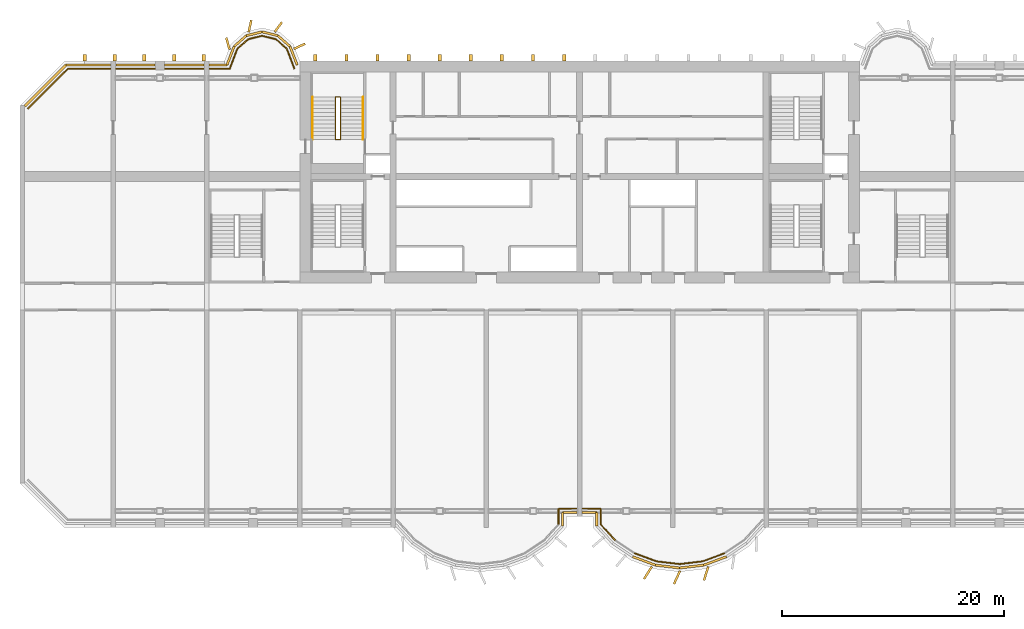
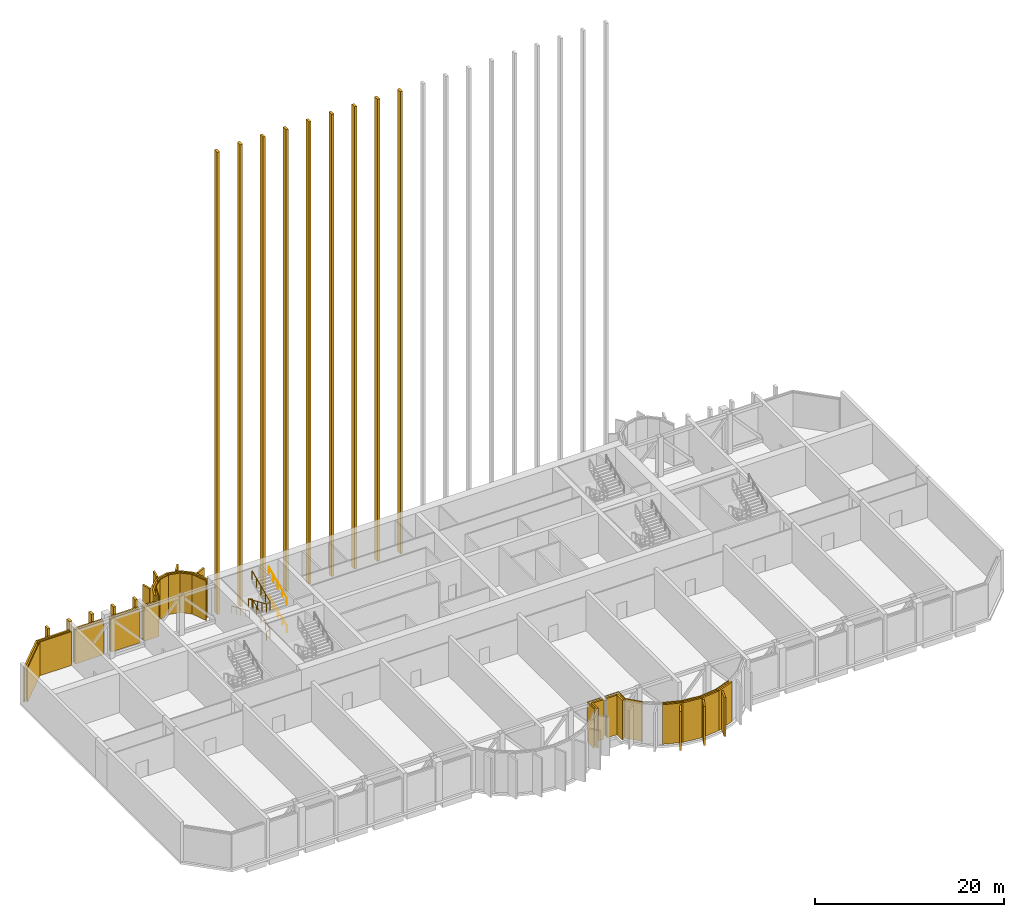
# One storey, part 15 of 17: 41 coverings, 19 shading devices, 4 railings.
"""IFC4 building model written with IfcOpenShell, lengths in metres."""

from ifc_helpers import new_model, si_unit, direction, frame, origin, origin_2d, place, context, subcontext, project, spatial, rectangle, circle, extrude, source, transform, mapped, material, layer, layer_set, material_profile, profile_set, type_object, element, save


model = new_model("IFC4")

# Units and contexts
model_context = context("Model", 3, precision=1e-05, world=origin(), true_north=direction((0.0, 1.0)))
body_context = subcontext(model_context, "Body", "Model", "MODEL_VIEW")
ifc_project = project(units=[si_unit("LENGTHUNIT", "METRE"), si_unit("AREAUNIT", "SQUARE_METRE"), si_unit("VOLUMEUNIT", "CUBIC_METRE"), si_unit("PLANEANGLEUNIT", "RADIAN"), si_unit("MASSUNIT", "GRAM", prefix="KILO")], contexts=[model_context])

# Site, building, storey
site_placement = place(None, origin())
site = spatial("IfcSite", under=ifc_project, at=site_placement, CompositionType="ELEMENT")
building_placement = place(site_placement, origin())
building = spatial("IfcBuilding", under=site, at=building_placement, Name="Vanashikhar Sky Hotel", CompositionType="ELEMENT")
storey_placement = place(building_placement, frame((0.0, 0.0, 81.0)))
storey = spatial("IfcBuildingStorey", under=building, at=storey_placement, Name="L19", CompositionType="ELEMENT", Elevation=81.0)

# Shading devices
ifc_material_1 = material(Name="Aluminium", Category="aluminium")
ifc_layer_1 = layer(ifc_material_1, 0.199951171875)
ifc_layer_set_1 = layer_set([ifc_layer_1], Name="Aluminium louvre band")
shading_device_type = type_object("IfcShadingDeviceType", Name="Aluminium louvre band", PredefinedType="USERDEFINED", material=ifc_layer_set_1)
shared_shape_1 = source(origin(), body_context, "Body", "SweptSolid", [
    extrude(rectangle(XDim=4.02490234375, YDim=0.199951171875, at=origin_2d()), origin(), (0.0, 0.0, 1.0), 4.3701171875),
])
shading_device_1_placement = place(storey_placement, frame((6.157470703125, 41.64990234375, 0.0), z_axis=(0.0, 0.0, 1.0), x_axis=(-1.0, 0.0, 0.0)))
element("IfcShadingDevice", 1, at=shading_device_1_placement, inside=storey, type_object=shading_device_type, Name="Louvre band", ObjectType="LOUVRE", PredefinedType="USERDEFINED", context=body_context, shape_type="MappedRepresentation", body=[
    mapped(shared_shape_1, transform((0.0, 0.0, 0.0), scale=1.0)),
])
shared_shape_2 = source(origin(), body_context, "Body", "SweptSolid", [
    extrude(rectangle(XDim=3.5400390625, YDim=0.199951171875, at=origin_2d()), origin(), (0.0, 0.0, 1.0), 4.3701171875),
])
for number, where, z_axis, x_axis, name in (
    (2, (10.39990234375, 41.64990234375, 0.0), (0.0, 0.0, 1.0), (-1.0, 0.0, 0.0), "Louvre band"),
    (3, (14.800048828125, 41.64990234375, 0.0), (0.0, 0.0, 1.0), (-1.0, 0.0, 0.0), "Louvre band"),
):
    element("IfcShadingDevice", number, at=place(storey_placement, frame(where, z_axis=z_axis, x_axis=x_axis)), inside=storey, type_object=shading_device_type, Name=name, ObjectType="LOUVRE", PredefinedType="USERDEFINED", context=body_context, shape_type="MappedRepresentation", body=[
        mapped(shared_shape_2, transform((0.0, 0.0, 0.0), scale=1.0)),
    ])
shared_shape_3 = source(origin(), body_context, "Body", "SweptSolid", [
    extrude(rectangle(XDim=2.1875, YDim=0.199951171875, at=origin_2d()), origin(), (0.0, 0.0, 1.0), 5.1201171875),
])
for number, where, z_axis, x_axis, name in (
    (4, (56.203125, -3.0087890625, 0.0), (0.0, 0.0, 1.0), (0.937537254303, -0.347884890149, 0.0), "Louvre band"),
    (5, (62.5966796875, -3.0087890625, 0.0), (0.0, 0.0, 1.0), (0.937537254303, 0.347884890149, 0.0), "Louvre band"),
):
    element("IfcShadingDevice", number, at=place(storey_placement, frame(where, z_axis=z_axis, x_axis=x_axis)), inside=storey, type_object=shading_device_type, Name=name, ObjectType="LOUVRE", PredefinedType="USERDEFINED", context=body_context, shape_type="MappedRepresentation", body=[
        mapped(shared_shape_3, transform((0.0, 0.0, 0.0), scale=1.0)),
    ])
shared_shape_4 = source(origin(), body_context, "Body", "SweptSolid", [
    extrude(rectangle(XDim=2.1865234375, YDim=0.199951171875, at=origin_2d()), origin(), (0.0, 0.0, 1.0), 5.1201171875),
])
for number, where, z_axis, x_axis, name in (
    (6, (58.314453125, -3.5185546875, 0.0), (0.0, 0.0, 1.0), (0.993008838731, -0.118040019495, 0.0), "Louvre band"),
    (7, (60.485595703125, -3.5185546875, 0.0), (0.0, 0.0, 1.0), (0.993008838731, 0.118040019495, 0.0), "Louvre band"),
):
    element("IfcShadingDevice", number, at=place(storey_placement, frame(where, z_axis=z_axis, x_axis=x_axis)), inside=storey, type_object=shading_device_type, Name=name, ObjectType="LOUVRE", PredefinedType="USERDEFINED", context=body_context, shape_type="MappedRepresentation", body=[
        mapped(shared_shape_4, transform((0.0, 0.0, 0.0), scale=1.0)),
    ])
shared_shape_5 = source(origin(), body_context, "Body", "SweptSolid", [
    extrude(rectangle(XDim=1.214111328125, YDim=0.199951171875, at=origin_2d()), origin(), (0.0, 0.0, 1.0), 5.1201171875),
])
for number, where, z_axis, x_axis, name in (
    (8, (48.85009765625, 0.742919921875, 0.0), (0.0, 0.0, 1.0), (0.0, 1.0, 0.0), "Louvre band"),
    (9, (51.949951171875, 0.742919921875, 0.0), (0.0, 0.0, 1.0), (0.0, -1.0, 0.0), "Louvre band"),
):
    element("IfcShadingDevice", number, at=place(storey_placement, frame(where, z_axis=z_axis, x_axis=x_axis)), inside=storey, type_object=shading_device_type, Name=name, ObjectType="LOUVRE", PredefinedType="USERDEFINED", context=body_context, shape_type="MappedRepresentation", body=[
        mapped(shared_shape_5, transform((0.0, 0.0, 0.0), scale=1.0)),
    ])
shared_shape_6 = source(origin(), body_context, "Body", "SweptSolid", [
    extrude(rectangle(XDim=1.320068359375, YDim=0.199951171875, at=origin_2d()), origin(), (0.0, 0.0, 1.0), 5.1201171875),
])
for number, where, z_axis, x_axis, name in (
    (10, (49.510009765625, 1.35009765625, 0.0), (0.0, 0.0, 1.0), (1.0, 0.0, 0.0), "Louvre band"),
    (11, (51.2900390625, 1.35009765625, 0.0), (0.0, 0.0, 1.0), (1.0, 0.0, 0.0), "Louvre band"),
):
    element("IfcShadingDevice", number, at=place(storey_placement, frame(where, z_axis=z_axis, x_axis=x_axis)), inside=storey, type_object=shading_device_type, Name=name, ObjectType="LOUVRE", PredefinedType="USERDEFINED", context=body_context, shape_type="MappedRepresentation", body=[
        mapped(shared_shape_6, transform((0.0, 0.0, 0.0), scale=1.0)),
    ])
shared_shape_7 = source(origin(), body_context, "Body", "SweptSolid", [
    extrude(rectangle(XDim=5.25390625, YDim=0.199951171875, at=origin_2d()), origin(), (0.0, 0.0, 1.0), 4.3701171875),
])
shading_device_2_placement = place(storey_placement, frame((2.28759765625, 39.79248046875, 0.0), z_axis=(0.0, 0.0, 1.0), x_axis=(-0.707106781187, -0.707106781187, 0.0)))
element("IfcShadingDevice", 12, at=shading_device_2_placement, inside=storey, type_object=shading_device_type, Name="Louvre band", ObjectType="LOUVRE", PredefinedType="USERDEFINED", context=body_context, shape_type="MappedRepresentation", body=[
    mapped(shared_shape_7, transform((0.0, 0.0, 0.0), scale=1.0)),
])
shared_shape_8 = source(origin(), body_context, "Body", "SweptSolid", [
    extrude(rectangle(XDim=1.610595703125, YDim=0.199951171875, at=origin_2d()), origin(), (0.0, 0.0, 1.0), 4.3701171875),
])
shading_device_3_placement = place(storey_placement, frame((17.835205078125, 41.64990234375, 0.0), z_axis=(0.0, 0.0, 1.0), x_axis=(-1.0, 0.0, 0.0)))
element("IfcShadingDevice", 13, at=shading_device_3_placement, inside=storey, type_object=shading_device_type, Name="Louvre band", ObjectType="LOUVRE", PredefinedType="USERDEFINED", context=body_context, shape_type="MappedRepresentation", body=[
    mapped(shared_shape_8, transform((0.0, 0.0, 0.0), scale=1.0)),
])
shared_shape_9 = source(origin(), body_context, "Body", "SweptSolid", [
    extrude(rectangle(XDim=1.7900390625, YDim=0.199951171875, at=origin_2d()), origin(), (0.0, 0.0, 1.0), 5.1201171875),
])
for number, where, z_axis, x_axis, name in (
    (14, (24.63916015625, 42.485595703125, 0.0), (0.0, 0.0, 1.0), (-0.35776499493, 0.933811655744, 0.0), "Louvre band"),
    (15, (18.9609375, 42.485595703125, 0.0), (0.0, 0.0, 1.0), (-0.35776499493, -0.933811655744, 0.0), "Louvre band"),
):
    element("IfcShadingDevice", number, at=place(storey_placement, frame(where, z_axis=z_axis, x_axis=x_axis)), inside=storey, type_object=shading_device_type, Name=name, ObjectType="LOUVRE", PredefinedType="USERDEFINED", context=body_context, shape_type="MappedRepresentation", body=[
        mapped(shared_shape_9, transform((0.0, 0.0, 0.0), scale=1.0)),
    ])
shared_shape_10 = source(origin(), body_context, "Body", "SweptSolid", [
    extrude(rectangle(XDim=1.464599609375, YDim=0.199951171875, at=origin_2d()), origin(), (0.0, 0.0, 1.0), 5.1201171875),
])
for number, where, z_axis, x_axis, name in (
    (16, (23.77001953125, 43.805908203125, 0.0), (0.0, 0.0, 1.0), (-0.749741606437, 0.661730703214, 0.0), "Louvre band"),
    (17, (19.830078125, 43.805908203125, 0.0), (0.0, 0.0, 1.0), (-0.749741606437, -0.661730703214, 0.0), "Louvre band"),
):
    element("IfcShadingDevice", number, at=place(storey_placement, frame(where, z_axis=z_axis, x_axis=x_axis)), inside=storey, type_object=shading_device_type, Name=name, ObjectType="LOUVRE", PredefinedType="USERDEFINED", context=body_context, shape_type="MappedRepresentation", body=[
        mapped(shared_shape_10, transform((0.0, 0.0, 0.0), scale=1.0)),
    ])
shared_shape_11 = source(origin(), body_context, "Body", "SweptSolid", [
    extrude(rectangle(XDim=1.463134765625, YDim=0.199951171875, at=origin_2d()), origin(), (0.0, 0.0, 1.0), 5.1201171875),
])
for number, where, z_axis, x_axis, name in (
    (18, (22.510498046875, 44.465087890625, 0.0), (0.0, 0.0, 1.0), (-0.97113427991, 0.238533457579, 0.0), "Louvre band"),
    (19, (21.089599609375, 44.465087890625, 0.0), (0.0, 0.0, 1.0), (-0.97113427991, -0.238533457579, 0.0), "Louvre band"),
):
    element("IfcShadingDevice", number, at=place(storey_placement, frame(where, z_axis=z_axis, x_axis=x_axis)), inside=storey, type_object=shading_device_type, Name=name, ObjectType="LOUVRE", PredefinedType="USERDEFINED", context=body_context, shape_type="MappedRepresentation", body=[
        mapped(shared_shape_11, transform((0.0, 0.0, 0.0), scale=1.0)),
    ])

# Coverings
ifc_material_2 = material(Name="Concrete M40", Category="concrete")
ifc_layer_2 = layer(ifc_material_2, 0.10009765625)
ifc_layer_set_2 = layer_set([ifc_layer_2], Name="Plant floor cladding panel")
covering_type_1 = type_object("IfcCoveringType", Name="Plant floor cladding panel", PredefinedType="CLADDING", material=ifc_layer_set_2)
shared_shape_12 = source(origin(), body_context, "Body", "SweptSolid", [
    extrude(rectangle(XDim=3.880126953125, YDim=0.10009765625, at=origin_2d()), origin(), (0.0, 0.0, 1.0), 4.3701171875),
])
covering_1_placement = place(storey_placement, frame((6.22998046875, 41.300048828125, 0.0), z_axis=(0.0, 0.0, 1.0), x_axis=(-1.0, 0.0, 0.0)))
element("IfcCovering", 20, at=covering_1_placement, inside=storey, type_object=covering_type_1, Name="Plant floor cladding panel", PredefinedType="CLADDING", context=body_context, shape_type="MappedRepresentation", body=[
    mapped(shared_shape_12, transform((0.0, 0.0, 0.0), scale=1.0)),
])
shared_shape_13 = source(origin(), body_context, "Body", "SweptSolid", [
    extrude(rectangle(XDim=3.5400390625, YDim=0.10009765625, at=origin_2d()), origin(), (0.0, 0.0, 1.0), 4.3701171875),
])
for number, where, z_axis, x_axis, name in (
    (21, (10.39990234375, 41.300048828125, 0.0), (0.0, 0.0, 1.0), (-1.0, 0.0, 0.0), "Plant floor cladding panel"),
    (22, (14.800048828125, 41.300048828125, 0.0), (0.0, 0.0, 1.0), (-1.0, 0.0, 0.0), "Plant floor cladding panel"),
):
    element("IfcCovering", number, at=place(storey_placement, frame(where, z_axis=z_axis, x_axis=x_axis)), inside=storey, type_object=covering_type_1, Name=name, PredefinedType="CLADDING", context=body_context, shape_type="MappedRepresentation", body=[
        mapped(shared_shape_13, transform((0.0, 0.0, 0.0), scale=1.0)),
    ])
shared_shape_14 = source(origin(), body_context, "Body", "SweptSolid", [
    extrude(rectangle(XDim=2.10400390625, YDim=0.10009765625, at=origin_2d()), origin(), (0.0, 0.0, 1.0), 5.1201171875),
])
for number, where, z_axis, x_axis, name in (
    (23, (56.3251953125, -2.6806640625, 0.0), (0.0, 0.0, 1.0), (0.937537254303, -0.347884890149, 0.0), "Plant floor cladding panel"),
    (24, (62.474853515625, -2.6806640625, 0.0), (0.0, 0.0, 1.0), (0.937537254303, 0.347884890149, 0.0), "Plant floor cladding panel"),
):
    element("IfcCovering", number, at=place(storey_placement, frame(where, z_axis=z_axis, x_axis=x_axis)), inside=storey, type_object=covering_type_1, Name=name, PredefinedType="CLADDING", context=body_context, shape_type="MappedRepresentation", body=[
        mapped(shared_shape_14, transform((0.0, 0.0, 0.0), scale=1.0)),
    ])
shared_shape_15 = source(origin(), body_context, "Body", "SweptSolid", [
    extrude(rectangle(XDim=2.103271484375, YDim=0.10009765625, at=origin_2d()), origin(), (0.0, 0.0, 1.0), 5.1201171875),
])
for number, where, z_axis, x_axis, name in (
    (25, (58.355712890625, -3.1708984375, 0.0), (0.0, 0.0, 1.0), (0.993002656809, -0.118092013154, 0.0), "Plant floor cladding panel"),
    (26, (60.4443359375, -3.1708984375, 0.0), (0.0, 0.0, 1.0), (0.993002656809, 0.118092013154, 0.0), "Plant floor cladding panel"),
):
    element("IfcCovering", number, at=place(storey_placement, frame(where, z_axis=z_axis, x_axis=x_axis)), inside=storey, type_object=covering_type_1, Name=name, PredefinedType="CLADDING", context=body_context, shape_type="MappedRepresentation", body=[
        mapped(shared_shape_15, transform((0.0, 0.0, 0.0), scale=1.0)),
    ])
shared_shape_16 = source(origin(), body_context, "Body", "SweptSolid", [
    extrude(rectangle(XDim=1.91455078125, YDim=0.10009765625, at=origin_2d()), origin(), (0.0, 0.0, 1.0), 5.1201171875),
])
covering_2_placement = place(storey_placement, frame((52.946533203125, -0.433837890625, 0.0), z_axis=(0.0, 0.0, 1.0), x_axis=(0.675371423292, -0.737477756004, 0.0)))
element("IfcCovering", 27, at=covering_2_placement, inside=storey, type_object=covering_type_1, Name="Plant floor cladding panel", PredefinedType="CLADDING", context=body_context, shape_type="MappedRepresentation", body=[
    mapped(shared_shape_16, transform((0.0, 0.0, 0.0), scale=1.0)),
])
shared_shape_17 = source(origin(), body_context, "Body", "SweptSolid", [
    extrude(rectangle(XDim=1.427978515625, YDim=0.10009765625, at=origin_2d()), origin(), (0.0, 0.0, 1.0), 5.1201171875),
])
for number, where, z_axis, x_axis, name in (
    (28, (48.5, 0.986083984375, 0.0), (0.0, 0.0, 1.0), (0.0, 1.0, 0.0), "Plant floor cladding panel"),
    (29, (52.300048828125, 0.986083984375, 0.0), (0.0, 0.0, 1.0), (0.0, -1.0, 0.0), "Plant floor cladding panel"),
):
    element("IfcCovering", number, at=place(storey_placement, frame(where, z_axis=z_axis, x_axis=x_axis)), inside=storey, type_object=covering_type_1, Name=name, PredefinedType="CLADDING", context=body_context, shape_type="MappedRepresentation", body=[
        mapped(shared_shape_17, transform((0.0, 0.0, 0.0), scale=1.0)),
    ])
shared_shape_18 = source(origin(), body_context, "Body", "SweptSolid", [
    extrude(rectangle(XDim=1.669921875, YDim=0.10009765625, at=origin_2d()), origin(), (0.0, 0.0, 1.0), 5.1201171875),
])
for number, where, z_axis, x_axis, name in (
    (30, (49.3349609375, 1.699951171875, 0.0), (0.0, 0.0, 1.0), (1.0, 0.0, 0.0), "Plant floor cladding panel"),
    (31, (51.465087890625, 1.699951171875, 0.0), (0.0, 0.0, 1.0), (1.0, 0.0, 0.0), "Plant floor cladding panel"),
):
    element("IfcCovering", number, at=place(storey_placement, frame(where, z_axis=z_axis, x_axis=x_axis)), inside=storey, type_object=covering_type_1, Name=name, PredefinedType="CLADDING", context=body_context, shape_type="MappedRepresentation", body=[
        mapped(shared_shape_18, transform((0.0, 0.0, 0.0), scale=1.0)),
    ])
shared_shape_19 = source(origin(), body_context, "Body", "SweptSolid", [
    extrude(rectangle(XDim=5.076904296875, YDim=0.10009765625, at=origin_2d()), origin(), (0.0, 0.0, 1.0), 4.3701171875),
])
covering_3_placement = place(storey_placement, frame((2.4951171875, 39.5048828125, 0.0), z_axis=(0.0, 0.0, 1.0), x_axis=(-0.707106781187, -0.707106781187, 0.0)))
element("IfcCovering", 32, at=covering_3_placement, inside=storey, type_object=covering_type_1, Name="Plant floor cladding panel", PredefinedType="CLADDING", context=body_context, shape_type="MappedRepresentation", body=[
    mapped(shared_shape_19, transform((0.0, 0.0, 0.0), scale=1.0)),
])
shared_shape_20 = source(origin(), body_context, "Body", "SweptSolid", [
    extrude(rectangle(XDim=1.851318359375, YDim=0.10009765625, at=origin_2d()), origin(), (0.0, 0.0, 1.0), 4.3701171875),
])
covering_4_placement = place(storey_placement, frame((17.955810546875, 41.300048828125, 0.0), z_axis=(0.0, 0.0, 1.0), x_axis=(-1.0, 0.0, 0.0)))
element("IfcCovering", 33, at=covering_4_placement, inside=storey, type_object=covering_type_1, Name="Plant floor cladding panel", PredefinedType="CLADDING", context=body_context, shape_type="MappedRepresentation", body=[
    mapped(shared_shape_20, transform((0.0, 0.0, 0.0), scale=1.0)),
])
shared_shape_21 = source(origin(), body_context, "Body", "SweptSolid", [
    extrude(rectangle(XDim=1.944580078125, YDim=0.10009765625, at=origin_2d()), origin(), (0.0, 0.0, 1.0), 5.1201171875),
])
for number, where, z_axis, x_axis, name in (
    (34, (24.37060546875, 42.2080078125, 0.0), (0.0, 0.0, 1.0), (-0.357781292963, 0.933805411425, 0.0), "Plant floor cladding panel"),
    (35, (19.229248046875, 42.2080078125, 0.0), (0.0, 0.0, 1.0), (-0.357781292963, -0.933805411425, 0.0), "Plant floor cladding panel"),
):
    element("IfcCovering", number, at=place(storey_placement, frame(where, z_axis=z_axis, x_axis=x_axis)), inside=storey, type_object=covering_type_1, Name=name, PredefinedType="CLADDING", context=body_context, shape_type="MappedRepresentation", body=[
        mapped(shared_shape_21, transform((0.0, 0.0, 0.0), scale=1.0)),
    ])
shared_shape_22 = source(origin(), body_context, "Body", "SweptSolid", [
    extrude(rectangle(XDim=1.29248046875, YDim=0.10009765625, at=origin_2d()), origin(), (0.0, 0.0, 1.0), 5.1201171875),
])
for number, where, z_axis, x_axis, name in (
    (36, (23.538330078125, 43.543701171875, 0.0), (0.0, 0.0, 1.0), (-0.749683856685, 0.661796127993, 0.0), "Plant floor cladding panel"),
    (37, (20.061767578125, 43.543701171875, 0.0), (0.0, 0.0, 1.0), (-0.749683856685, -0.661796127993, 0.0), "Plant floor cladding panel"),
):
    element("IfcCovering", number, at=place(storey_placement, frame(where, z_axis=z_axis, x_axis=x_axis)), inside=storey, type_object=covering_type_1, Name=name, PredefinedType="CLADDING", context=body_context, shape_type="MappedRepresentation", body=[
        mapped(shared_shape_22, transform((0.0, 0.0, 0.0), scale=1.0)),
    ])
shared_shape_23 = source(origin(), body_context, "Body", "SweptSolid", [
    extrude(rectangle(XDim=1.291015625, YDim=0.10009765625, at=origin_2d()), origin(), (0.0, 0.0, 1.0), 5.1201171875),
])
for number, where, z_axis, x_axis, name in (
    (38, (22.427001953125, 44.125244140625, 0.0), (0.0, 0.0, 1.0), (-0.97115093032, 0.238465659035, 0.0), "Plant floor cladding panel"),
    (39, (21.173095703125, 44.125244140625, 0.0), (0.0, 0.0, 1.0), (-0.97115093032, -0.238465659035, 0.0), "Plant floor cladding panel"),
):
    element("IfcCovering", number, at=place(storey_placement, frame(where, z_axis=z_axis, x_axis=x_axis)), inside=storey, type_object=covering_type_1, Name=name, PredefinedType="CLADDING", context=body_context, shape_type="MappedRepresentation", body=[
        mapped(shared_shape_23, transform((0.0, 0.0, 0.0), scale=1.0)),
    ])
ifc_material_3 = material(Name="Concrete M60 dark", Category="concrete")
ifc_material_profile_1 = material_profile(ifc_material_3, rectangle(XDim=1.300048828125, YDim=0.199951171875, at=origin_2d()))
ifc_profile_set_1 = profile_set([ifc_material_profile_1], Name="Fin 1300 x 200")
covering_type_2 = type_object("IfcCoveringType", Name="Fin 1300 x 200", PredefinedType="CLADDING", material=ifc_profile_set_1)
shared_shape_24 = source(origin(), body_context, "Body", "SweptSolid", [
    extrude(rectangle(XDim=1.300048828125, YDim=0.199951171875, at=origin_2d()), origin(), (0.0, 0.0, 1.0), 5.050048828125),
])
for number, where, z_axis, x_axis, name in (
    (40, (56.547119140625, -4.083984375, 0.0), (0.0, 0.0, 1.0), (-0.534411358496, -0.845224526331, 0.0), "Fin F2-3"),
    (41, (59.16748046875, -4.49853515625, 0.0), (0.0, 0.0, 1.0), (-0.422618261741, -0.906307787037, 0.0), "Fin F2-4"),
    (42, (61.790771484375, -4.14306640625, 0.0), (0.0, 0.0, 1.0), (-0.303966551867, -0.952682704444, 0.0), "Fin F2-5"),
):
    element("IfcCovering", number, at=place(storey_placement, frame(where, z_axis=z_axis, x_axis=x_axis)), inside=storey, type_object=covering_type_2, Name=name, PredefinedType="CLADDING", context=body_context, shape_type="MappedRepresentation", body=[
        mapped(shared_shape_24, transform((0.0, 0.0, 0.0), scale=1.0)),
    ])
ifc_material_profile_2 = material_profile(ifc_material_3, rectangle(XDim=1.10009765625, YDim=0.199951171875, at=origin_2d()))
ifc_profile_set_2 = profile_set([ifc_material_profile_2], Name="Rear lobe fin 1100 x 200")
covering_type_3 = type_object("IfcCoveringType", Name="Rear lobe fin 1100 x 200", PredefinedType="CLADDING", material=ifc_profile_set_2)
shared_shape_25 = source(origin(), body_context, "Body", "SweptSolid", [
    extrude(rectangle(XDim=1.10009765625, YDim=0.199951171875, at=origin_2d()), origin(), (0.0, 0.0, 1.0), 5.1201171875),
])
for number, where, z_axis, x_axis, name in (
    (43, (18.720703125, 43.580078125, 0.0), (0.0, 0.0, 1.0), (-0.262711264409, 0.964874495234, 0.0), "Fin R1-1"),
    (44, (20.710205078125, 45.1455078125, 0.0), (0.0, 0.0, 1.0), (0.224644935864, 0.974440687159, 0.0), "Fin R1-2"),
    (45, (23.261962890625, 45.06640625, 0.0), (0.0, 0.0, 1.0), (0.602065892195, 0.798446404874, 0.0), "Fin R1-3"),
    (46, (25.169677734375, 43.33447265625, 0.0), (0.0, 0.0, 1.0), (0.908004291068, 0.418960866193, 0.0), "Fin R1-4"),
):
    element("IfcCovering", number, at=place(storey_placement, frame(where, z_axis=z_axis, x_axis=x_axis)), inside=storey, type_object=covering_type_3, Name=name, PredefinedType="CLADDING", context=body_context, shape_type="MappedRepresentation", body=[
        mapped(shared_shape_25, transform((0.0, 0.0, 0.0), scale=1.0)),
    ])
ifc_material_profile_3 = material_profile(ifc_material_3, rectangle(XDim=0.60009765625, YDim=0.300048828125, at=origin_2d()))
ifc_profile_set_3 = profile_set([ifc_material_profile_3], Name="Rear rib 600 x 300")
covering_type_4 = type_object("IfcCoveringType", Name="Rear rib 600 x 300", PredefinedType="CLADDING", material=ifc_profile_set_3)
shared_shape_26 = source(origin(), body_context, "Body", "SweptSolid", [
    extrude(rectangle(XDim=0.60009765625, YDim=0.300048828125, at=origin_2d()), origin(), (0.0, 0.0, 1.0), 59.800048828125),
])
for number, where, z_axis, x_axis, name in (
    (47, (26.60009765625, 42.300048828125, -0.280029296875), (0.0, 0.0, 1.0), (0.0, 1.0, 0.0), "Rear rib"),
    (48, (29.39990234375, 42.300048828125, -0.280029296875), (0.0, 0.0, 1.0), (0.0, 1.0, 0.0), "Rear rib"),
    (49, (32.199951171875, 42.300048828125, -0.280029296875), (0.0, 0.0, 1.0), (0.0, 1.0, 0.0), "Rear rib"),
    (50, (35.0, 42.300048828125, -0.280029296875), (0.0, 0.0, 1.0), (0.0, 1.0, 0.0), "Rear rib"),
    (51, (37.800048828125, 42.300048828125, -0.280029296875), (0.0, 0.0, 1.0), (0.0, 1.0, 0.0), "Rear rib"),
    (52, (40.60009765625, 42.300048828125, -0.280029296875), (0.0, 0.0, 1.0), (0.0, 1.0, 0.0), "Rear rib"),
    (53, (43.39990234375, 42.300048828125, -0.280029296875), (0.0, 0.0, 1.0), (0.0, 1.0, 0.0), "Rear rib"),
    (54, (46.199951171875, 42.300048828125, -0.280029296875), (0.0, 0.0, 1.0), (0.0, 1.0, 0.0), "Rear rib"),
    (55, (49.0, 42.300048828125, -0.280029296875), (0.0, 0.0, 1.0), (0.0, 1.0, 0.0), "Rear rib"),
):
    element("IfcCovering", number, at=place(storey_placement, frame(where, z_axis=z_axis, x_axis=x_axis)), inside=storey, type_object=covering_type_4, Name=name, PredefinedType="CLADDING", context=body_context, shape_type="MappedRepresentation", body=[
        mapped(shared_shape_26, transform((0.0, 0.0, 0.0), scale=1.0)),
    ])
shared_shape_27 = source(origin(), body_context, "Body", "SweptSolid", [
    extrude(rectangle(XDim=0.60009765625, YDim=0.300048828125, at=origin_2d()), origin(), (0.0, 0.0, 1.0), 5.400146484375),
])
for number, where, z_axis, x_axis, name in (
    (56, (5.840087890625, 42.300048828125, -0.280029296875), (0.0, 0.0, 1.0), (0.0, 1.0, 0.0), "Rear rib"),
    (57, (8.52001953125, 42.300048828125, -0.280029296875), (0.0, 0.0, 1.0), (0.0, 1.0, 0.0), "Rear rib"),
    (58, (11.199951171875, 42.300048828125, -0.280029296875), (0.0, 0.0, 1.0), (0.0, 1.0, 0.0), "Rear rib"),
    (59, (13.8798828125, 42.300048828125, -0.280029296875), (0.0, 0.0, 1.0), (0.0, 1.0, 0.0), "Rear rib"),
    (60, (16.56005859375, 42.300048828125, -0.280029296875), (0.0, 0.0, 1.0), (0.0, 1.0, 0.0), "Rear rib"),
):
    element("IfcCovering", number, at=place(storey_placement, frame(where, z_axis=z_axis, x_axis=x_axis)), inside=storey, type_object=covering_type_4, Name=name, PredefinedType="CLADDING", context=body_context, shape_type="MappedRepresentation", body=[
        mapped(shared_shape_27, transform((0.0, 0.0, 0.0), scale=1.0)),
    ])

# Railings
ifc_material_4 = material(Name="Steel S355", Category="steel")
railing_type_1 = type_object("IfcRailingType", Name="Stair handrail 900", PredefinedType="HANDRAIL", material=ifc_material_4)
shared_shape_28 = source(origin(), body_context, "Body", "SweptSolid", [
    extrude(circle(Radius=0.02392578125, at=origin_2d()), frame((0.0, 0.0, 0.8759765625), z_axis=(0.0, -0.917250781605, 0.398310185215), x_axis=(1.0, 0.0, 0.0)), (0.0, 0.0, 1.0), 4.142822265625),
    extrude(circle(Radius=0.02099609375, at=origin_2d()), origin(), (0.0, 0.0, 1.0), 0.851806640625),
    extrude(circle(Radius=0.02099609375, at=origin_2d()), frame((0.0, -0.949951171875, 0.41259765625)), (0.0, 0.0, 1.0), 0.851806640625),
    extrude(circle(Radius=0.02099609375, at=origin_2d()), frame((0.0, -1.89990234375, 0.8251953125)), (0.0, 0.0, 1.0), 0.851806640625),
    extrude(circle(Radius=0.02099609375, at=origin_2d()), frame((0.0, -2.85009765625, 1.237548828125)), (0.0, 0.0, 1.0), 0.851806640625),
    extrude(circle(Radius=0.02099609375, at=origin_2d()), frame((0.0, -3.800048828125, 1.650146484375)), (0.0, 0.0, 1.0), 0.851806640625),
])
railing_1_placement = place(storey_placement, frame((26.35009765625, 38.75, 1.949951171875)))
element("IfcRailing", 61, at=railing_1_placement, inside=storey, type_object=railing_type_1, Name="Exit stair 5 handrail", PredefinedType="HANDRAIL", context=body_context, shape_type="MappedRepresentation", body=[
    mapped(shared_shape_28, transform((0.0, 0.0, 0.0), scale=1.0)),
])
shared_shape_29 = source(origin(), body_context, "Body", "SweptSolid", [
    extrude(circle(Radius=0.02392578125, at=origin_2d()), frame((0.0, 0.0, 0.8759765625), z_axis=(0.0, 0.917250781605, 0.398310185215), x_axis=(-1.0, 0.0, 0.0)), (0.0, 0.0, 1.0), 4.142822265625),
    extrude(circle(Radius=0.02099609375, at=origin_2d()), origin(), (0.0, 0.0, 1.0), 0.851806640625),
    extrude(circle(Radius=0.02099609375, at=origin_2d()), frame((0.0, 0.949951171875, 0.41259765625)), (0.0, 0.0, 1.0), 0.851806640625),
    extrude(circle(Radius=0.02099609375, at=origin_2d()), frame((0.0, 1.89990234375, 0.8251953125)), (0.0, 0.0, 1.0), 0.851806640625),
    extrude(circle(Radius=0.02099609375, at=origin_2d()), frame((0.0, 2.85009765625, 1.237548828125)), (0.0, 0.0, 1.0), 0.851806640625),
    extrude(circle(Radius=0.02099609375, at=origin_2d()), frame((0.0, 3.800048828125, 1.650146484375)), (0.0, 0.0, 1.0), 0.851806640625),
])
railing_2_placement = place(storey_placement, frame((30.89990234375, 34.949951171875, 0.14990234375)))
element("IfcRailing", 62, at=railing_2_placement, inside=storey, type_object=railing_type_1, Name="Exit stair 5 handrail", PredefinedType="HANDRAIL", context=body_context, shape_type="MappedRepresentation", body=[
    mapped(shared_shape_29, transform((0.0, 0.0, 0.0), scale=1.0)),
])
railing_type_2 = type_object("IfcRailingType", Name="Stair guard 1100", PredefinedType="GUARDRAIL", material=ifc_material_4)
shared_shape_30 = source(origin(), body_context, "Body", "SweptSolid", [
    extrude(circle(Radius=0.02392578125, at=origin_2d()), frame((0.0, 0.0, 1.076171875), z_axis=(0.948786153043, 0.0, 0.315919033605), x_axis=(0.0, 1.0, 0.0)), (0.0, 0.0, 1.0), 0.474609375),
    extrude(circle(Radius=0.02392578125, at=origin_2d()), frame((0.4501953125, 0.0, 1.22607421875), z_axis=(0.0, 0.917250781605, 0.398310185215), x_axis=(-1.0, 0.0, 0.0)), (0.0, 0.0, 1.0), 4.142822265625),
    extrude(circle(Radius=0.02392578125, at=origin_2d()), frame((0.4501953125, 3.800048828125, 2.8759765625), z_axis=(-0.948786153043, 0.0, 0.315919033605), x_axis=(0.0, -1.0, 0.0)), (0.0, 0.0, 1.0), 0.474609375),
    extrude(circle(Radius=0.02392578125, at=origin_2d()), frame((0.0, 3.800048828125, 3.02587890625), z_axis=(0.0, -0.917250781605, 0.398310185215), x_axis=(1.0, 0.0, 0.0)), (0.0, 0.0, 1.0), 4.142822265625),
    extrude(circle(Radius=0.02392578125, at=origin_2d()), frame((0.0, 0.0, 4.67626953125), z_axis=(0.948786153043, 0.0, 0.315919033605), x_axis=(0.0, 1.0, 0.0)), (0.0, 0.0, 1.0), 0.474609375),
    extrude(circle(Radius=0.02392578125, at=origin_2d()), frame((0.4501953125, 0.0, 4.826171875), z_axis=(0.0, 0.91727231099, 0.398260602484), x_axis=(-1.0, 0.0, 0.0)), (0.0, 0.0, 1.0), 4.142822265625),
    extrude(circle(Radius=0.02099609375, at=origin_2d()), origin(), (0.0, 0.0, 1.0), 1.052001953125),
    extrude(circle(Radius=0.02099609375, at=origin_2d()), frame((0.4501953125, 0.0, 0.14990234375)), (0.0, 0.0, 1.0), 1.052001953125),
    extrude(circle(Radius=0.02099609375, at=origin_2d()), frame((0.4501953125, 0.949951171875, 0.5625)), (0.0, 0.0, 1.0), 1.052001953125),
    extrude(circle(Radius=0.02099609375, at=origin_2d()), frame((0.4501953125, 1.89990234375, 0.97509765625)), (0.0, 0.0, 1.0), 1.052001953125),
    extrude(circle(Radius=0.02099609375, at=origin_2d()), frame((0.4501953125, 2.85009765625, 1.387451171875)), (0.0, 0.0, 1.0), 1.052001953125),
    extrude(circle(Radius=0.02099609375, at=origin_2d()), frame((0.4501953125, 3.800048828125, 1.800048828125)), (0.0, 0.0, 1.0), 1.052001953125),
    extrude(circle(Radius=0.02099609375, at=origin_2d()), frame((0.0, 3.800048828125, 1.949951171875)), (0.0, 0.0, 1.0), 1.052001953125),
    extrude(circle(Radius=0.02099609375, at=origin_2d()), frame((0.0, 2.85009765625, 2.362548828125)), (0.0, 0.0, 1.0), 1.052001953125),
    extrude(circle(Radius=0.02099609375, at=origin_2d()), frame((0.0, 1.89990234375, 2.77490234375)), (0.0, 0.0, 1.0), 1.052001953125),
    extrude(circle(Radius=0.02099609375, at=origin_2d()), frame((0.0, 0.949951171875, 3.1875)), (0.0, 0.0, 1.0), 1.052001953125),
    extrude(circle(Radius=0.02099609375, at=origin_2d()), frame((0.0, 0.0, 3.60009765625)), (0.0, 0.0, 1.0), 1.052001953125),
    extrude(circle(Radius=0.02099609375, at=origin_2d()), frame((0.4501953125, 0.0, 3.75)), (0.0, 0.0, 1.0), 1.052001953125),
    extrude(circle(Radius=0.02099609375, at=origin_2d()), frame((0.4501953125, 0.949951171875, 4.16259765625)), (0.0, 0.0, 1.0), 1.052001953125),
    extrude(circle(Radius=0.02099609375, at=origin_2d()), frame((0.4501953125, 1.89990234375, 4.574951171875)), (0.0, 0.0, 1.0), 1.052001953125),
    extrude(circle(Radius=0.02099609375, at=origin_2d()), frame((0.4501953125, 2.85009765625, 4.9873046875)), (0.0, 0.0, 1.0), 1.052001953125),
    extrude(circle(Radius=0.02099609375, at=origin_2d()), frame((0.4501953125, 3.800048828125, 5.39990234375)), (0.0, 0.0, 1.0), 1.052001953125),
])
railing_3_placement = place(storey_placement, frame((28.39990234375, 34.949951171875, 0.0)))
element("IfcRailing", 63, at=railing_3_placement, inside=storey, type_object=railing_type_2, Name="Exit stair 5 guard", PredefinedType="GUARDRAIL", context=body_context, shape_type="MappedRepresentation", body=[
    mapped(shared_shape_30, transform((0.0, 0.0, 0.0), scale=1.0)),
])
shared_shape_31 = source(origin(), body_context, "Body", "SweptSolid", [
    extrude(circle(Radius=0.02392578125, at=origin_2d()), frame((0.0, 0.0, 0.8759765625), z_axis=(0.0, 0.91727231099, 0.398260602484), x_axis=(-1.0, 0.0, 0.0)), (0.0, 0.0, 1.0), 4.142822265625),
    extrude(circle(Radius=0.02099609375, at=origin_2d()), origin(), (0.0, 0.0, 1.0), 0.851806640625),
    extrude(circle(Radius=0.02099609375, at=origin_2d()), frame((0.0, 0.949951171875, 0.41259765625)), (0.0, 0.0, 1.0), 0.851806640625),
    extrude(circle(Radius=0.02099609375, at=origin_2d()), frame((0.0, 1.89990234375, 0.824951171875)), (0.0, 0.0, 1.0), 0.851806640625),
    extrude(circle(Radius=0.02099609375, at=origin_2d()), frame((0.0, 2.85009765625, 1.2373046875)), (0.0, 0.0, 1.0), 0.851806640625),
    extrude(circle(Radius=0.02099609375, at=origin_2d()), frame((0.0, 3.800048828125, 1.64990234375)), (0.0, 0.0, 1.0), 0.851806640625),
])
railing_4_placement = place(storey_placement, frame((30.89990234375, 34.949951171875, 3.75)))
element("IfcRailing", 64, at=railing_4_placement, inside=storey, type_object=railing_type_1, Name="Exit stair 5 handrail", PredefinedType="HANDRAIL", context=body_context, shape_type="MappedRepresentation", body=[
    mapped(shared_shape_31, transform((0.0, 0.0, 0.0), scale=1.0)),
])

save(model, "model.ifc")
